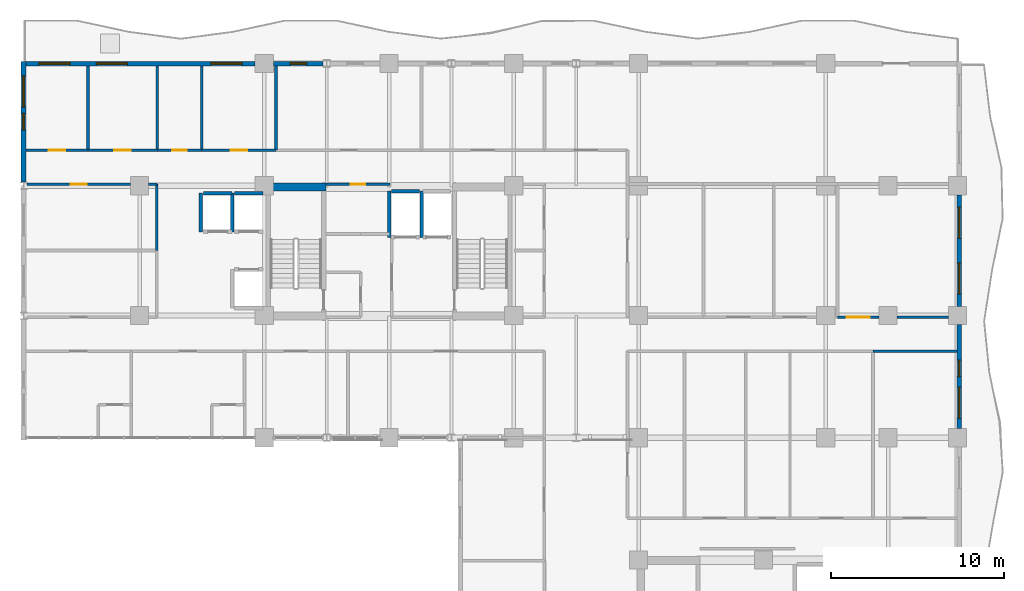
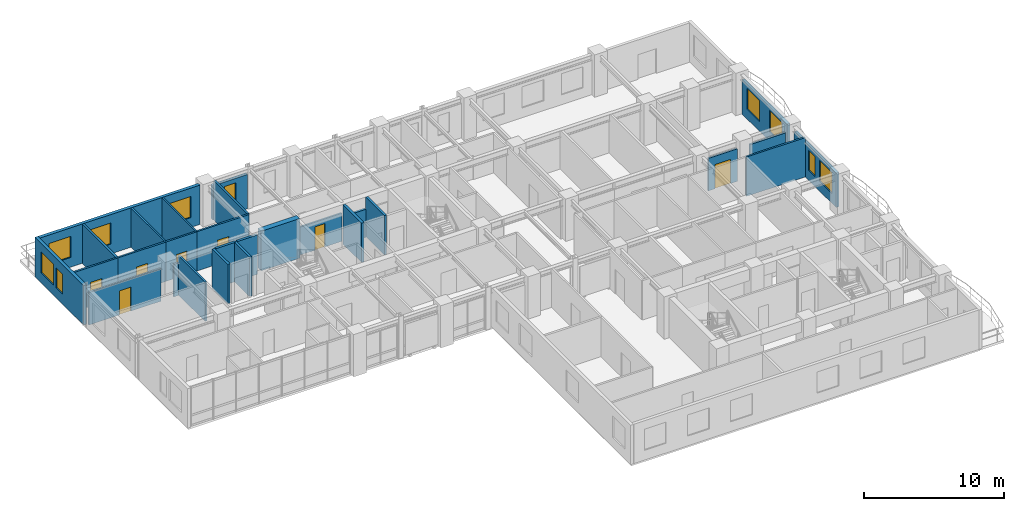
# One storey, part 12 of 17: 28 walls, 10 windows, 7 doors, 17 openings.
"""IFC4 building model written with IfcOpenShell, lengths in metres."""

from ifc_helpers import new_model, si_unit, direction, frame, frame_2d, origin, place, context, subcontext, project, spatial, rectangle, extrude, material, layer, layer_set, type_object, element, fill, save


model = new_model("IFC4")

# Units and contexts
model_context = context("Model", 3, precision=1e-05, world=origin(), true_north=direction((0.0, 1.0)))
body_context = subcontext(model_context, "Body", "Model", "MODEL_VIEW")
ifc_project = project(units=[si_unit("LENGTHUNIT", "METRE"), si_unit("AREAUNIT", "SQUARE_METRE"), si_unit("VOLUMEUNIT", "CUBIC_METRE"), si_unit("PLANEANGLEUNIT", "RADIAN"), si_unit("MASSUNIT", "GRAM", prefix="KILO")], contexts=[model_context])

# Site, building, storey
site_placement = place(None, origin())
site = spatial("IfcSite", under=ifc_project, at=site_placement, CompositionType="ELEMENT")
building_placement = place(site_placement, origin())
building = spatial("IfcBuilding", under=site, at=building_placement, Name="Kaliganga Portal Commons", CompositionType="ELEMENT")
storey_placement = place(building_placement, frame((0.0, 0.0, 143.89990234375)))
storey = spatial("IfcBuildingStorey", under=building, at=storey_placement, Name="L36", CompositionType="ELEMENT", Elevation=143.89990234375)

# Wall
ifc_material_1 = material(Name="Concrete C60/75", Category="concrete")
ifc_layer_1 = layer(ifc_material_1, 0.449951171875)
ifc_layer_set_1 = layer_set([ifc_layer_1], Name="Concrete C60/75")
wall_type_1 = type_object("IfcWallType", Name="WL-CORE-450", PredefinedType="SHEAR", material=ifc_layer_set_1)
wall_1_placement = place(storey_placement, frame((14.75, 36.074951171875, 0.0), z_axis=(0.0, 0.0, 1.0), x_axis=(1.0, 0.0, 0.0)))
element("IfcWall", 1, at=wall_1_placement, inside=storey, type_object=wall_type_1, Name="Core A N-West Shear Wall L36", PredefinedType="SHEAR", context=body_context, shape_type="SweptSolid", body=[
    extrude(rectangle(XDim=3.199951171875, YDim=0.449951171875, at=frame_2d((1.60009765625, 0.0))), origin(), (0.0, 0.0, 1.0), 3.460205078125),
])

# Wall, openings, windows
ifc_material_2 = material(Name="Insulated Aluminium-Clad Spandrel Assembly", Category="aluminium")
ifc_layer_2 = layer(ifc_material_2, 0.260009765625)
ifc_layer_set_2 = layer_set([ifc_layer_2], Name="Insulated Aluminium-Clad Spandrel Assembly")
wall_type_2 = type_object("IfcWallType", Name="WL-EXT-SPAND-260", PredefinedType="STANDARD", material=ifc_layer_set_2)
wall_2_placement = place(storey_placement, frame((54.5, 28.1240234375, 0.0), z_axis=(0.0, 0.0, 1.0), x_axis=(0.0, -1.0, 0.0)))
wall_2 = element("IfcWall", 2, at=wall_2_placement, inside=storey, type_object=wall_type_2, Name="Exterior Envelope Wall L36 P1-E01-S4", PredefinedType="STANDARD", context=body_context, shape_type="SweptSolid", body=[
    extrude(rectangle(XDim=5.998046875, YDim=0.260009765625, at=frame_2d((2.9990234375, 0.0))), origin(), (0.0, 0.0, 1.0), 2.989990234375),
])
opening_1_placement = place(wall_2_placement, frame((3.598388671875, 0.0, 0.85009765625)))
opening_1 = element("IfcOpeningElement", 3, at=opening_1_placement, cuts=wall_2, Name="Opening W-01", PredefinedType="OPENING", context=body_context, shape_type="SweptSolid", body=[
    extrude(rectangle(XDim=1.800048828125, YDim=1.85009765625, at=frame_2d((0.89990234375, 0.925048828125))), frame((0.0, 0.14013671875, 0.0), z_axis=(0.0, -1.0, 0.0), x_axis=(1.0, 0.0, 0.0)), (0.0, 0.0, 1.0), 0.280029296875),
])
opening_2_placement = place(wall_2_placement, frame((2.044189453125, 0.0, 0.85009765625)))
opening_2 = element("IfcOpeningElement", 4, at=opening_2_placement, cuts=wall_2, Name="Opening W-04", PredefinedType="OPENING", context=body_context, shape_type="SweptSolid", body=[
    extrude(rectangle(XDim=0.949951171875, YDim=1.75, at=frame_2d((0.47509765625, 0.875))), frame((0.0, 0.14013671875, 0.0), z_axis=(0.0, -1.0, 0.0), x_axis=(1.0, 0.0, 0.0)), (0.0, 0.0, 1.0), 0.280029296875),
])
ifc_material_3 = material(Name="Thermally Broken Aluminium and Low-E Double Glazing", Category="aluminium")
window_type_1 = type_object("IfcWindowType", Name="WIN-NARROW-950", PartitioningType="SINGLE_PANEL", PredefinedType="WINDOW", material=ifc_material_3)
window_1_placement = place(opening_2_placement, origin())
window_1 = element("IfcWindow", 5, at=window_1_placement, inside=storey, type_object=window_type_1, Name="Facade Window L36-P1E01S4-N5", OverallHeight=1.75, OverallWidth=0.949951171875, PartitioningType="SINGLE_PANEL", PredefinedType="WINDOW", context=body_context, shape_type="SweptSolid", body=[
    extrude(rectangle(XDim=0.949951171875, YDim=1.75, at=frame_2d((0.47509765625, 0.875))), frame((0.0, 0.030029296875, 0.0), z_axis=(0.0, -1.0, 0.0), x_axis=(1.0, 0.0, 0.0)), (0.0, 0.0, 1.0), 0.06005859375),
])
fill(opening_2, window_1)
window_type_2 = type_object("IfcWindowType", Name="WIN-STD-1800", PartitioningType="DOUBLE_PANEL_VERTICAL", PredefinedType="WINDOW", material=ifc_material_3)
window_2_placement = place(opening_1_placement, origin())
window_2 = element("IfcWindow", 6, at=window_2_placement, inside=storey, type_object=window_type_2, Name="Facade Window L36-P1E01S4-01", OverallHeight=1.85009765625, OverallWidth=1.800048828125, PartitioningType="SINGLE_PANEL", PredefinedType="WINDOW", context=body_context, shape_type="SweptSolid", body=[
    extrude(rectangle(XDim=1.800048828125, YDim=1.85009765625, at=frame_2d((0.89990234375, 0.925048828125))), frame((0.0, 0.030029296875, 0.0), z_axis=(0.0, -1.0, 0.0), x_axis=(1.0, 0.0, 0.0)), (0.0, 0.0, 1.0), 0.06005859375),
])
fill(opening_1, window_2)

wall_3_placement = place(storey_placement, frame((54.5, 35.6240234375, 0.0), z_axis=(0.0, 0.0, 1.0), x_axis=(0.0, -1.0, 0.0)))
wall_3 = element("IfcWall", 7, at=wall_3_placement, inside=storey, type_object=wall_type_2, Name="Exterior Envelope Wall L36 P1-E01-S5", PredefinedType="STANDARD", context=body_context, shape_type="SweptSolid", body=[
    extrude(rectangle(XDim=6.447998046875, YDim=0.260009765625, at=frame_2d((3.22412109375, 0.0))), origin(), (0.0, 0.0, 1.0), 2.989990234375),
])
opening_3_placement = place(wall_3_placement, frame((0.7119140625, 0.0, 0.85009765625)))
opening_3 = element("IfcOpeningElement", 8, at=opening_3_placement, cuts=wall_3, Name="Opening W-01", PredefinedType="OPENING", context=body_context, shape_type="SweptSolid", body=[
    extrude(rectangle(XDim=1.800048828125, YDim=1.85009765625, at=frame_2d((0.89990234375, 0.925048828125))), frame((0.0, 0.14013671875, 0.0), z_axis=(0.0, -1.0, 0.0), x_axis=(1.0, 0.0, 0.0)), (0.0, 0.0, 1.0), 0.280029296875),
])
opening_4_placement = place(wall_3_placement, frame((3.93603515625, 0.0, 0.85009765625)))
opening_4 = element("IfcOpeningElement", 9, at=opening_4_placement, cuts=wall_3, Name="Opening W-01", PredefinedType="OPENING", context=body_context, shape_type="SweptSolid", body=[
    extrude(rectangle(XDim=1.800048828125, YDim=1.85009765625, at=frame_2d((0.89990234375, 0.925048828125))), frame((0.0, 0.14013671875, 0.0), z_axis=(0.0, -1.0, 0.0), x_axis=(1.0, 0.0, 0.0)), (0.0, 0.0, 1.0), 0.280029296875),
])
window_3_placement = place(opening_3_placement, origin())
window_3 = element("IfcWindow", 10, at=window_3_placement, inside=storey, type_object=window_type_2, Name="Facade Window L36-P1E01S5-00", OverallHeight=1.85009765625, OverallWidth=1.800048828125, PartitioningType="SINGLE_PANEL", PredefinedType="WINDOW", context=body_context, shape_type="SweptSolid", body=[
    extrude(rectangle(XDim=1.800048828125, YDim=1.85009765625, at=frame_2d((0.89990234375, 0.925048828125))), frame((0.0, 0.030029296875, 0.0), z_axis=(0.0, -1.0, 0.0), x_axis=(1.0, 0.0, 0.0)), (0.0, 0.0, 1.0), 0.06005859375),
])
fill(opening_3, window_3)
window_4_placement = place(opening_4_placement, origin())
window_4 = element("IfcWindow", 11, at=window_4_placement, inside=storey, type_object=window_type_2, Name="Facade Window L36-P1E01S5-01", OverallHeight=1.85009765625, OverallWidth=1.800048828125, PartitioningType="SINGLE_PANEL", PredefinedType="WINDOW", context=body_context, shape_type="SweptSolid", body=[
    extrude(rectangle(XDim=1.800048828125, YDim=1.85009765625, at=frame_2d((0.89990234375, 0.925048828125))), frame((0.0, 0.030029296875, 0.0), z_axis=(0.0, -1.0, 0.0), x_axis=(1.0, 0.0, 0.0)), (0.0, 0.0, 1.0), 0.06005859375),
])
fill(opening_4, window_4)

# Wall, opening, window
wall_4_placement = place(storey_placement, frame((14.926025390625, 43.199951171875, 0.0), z_axis=(0.0, 0.0, 1.0), x_axis=(1.0, 0.0, 0.0)))
wall_4 = element("IfcWall", 12, at=wall_4_placement, inside=storey, type_object=wall_type_2, Name="Exterior Envelope Wall L36 P1-E02-S8", PredefinedType="STANDARD", context=body_context, shape_type="SweptSolid", body=[
    extrude(rectangle(XDim=2.87109375, YDim=0.260009765625, at=frame_2d((1.435546875, 0.0))), origin(), (0.0, 0.0, 1.0), 2.989990234375),
])
opening_5_placement = place(wall_4_placement, frame((0.96044921875, 0.0, 0.85009765625)))
opening_5 = element("IfcOpeningElement", 13, at=opening_5_placement, cuts=wall_4, Name="Opening W-04", PredefinedType="OPENING", context=body_context, shape_type="SweptSolid", body=[
    extrude(rectangle(XDim=0.949951171875, YDim=1.75, at=frame_2d((0.47509765625, 0.875))), frame((0.0, 0.14013671875, 0.0), z_axis=(0.0, -1.0, 0.0), x_axis=(1.0, 0.0, 0.0)), (0.0, 0.0, 1.0), 0.280029296875),
])
window_5_placement = place(opening_5_placement, origin())
window_5 = element("IfcWindow", 14, at=window_5_placement, inside=storey, type_object=window_type_1, Name="Facade Window L36-P1E02S8-00", OverallHeight=1.75, OverallWidth=0.949951171875, PartitioningType="SINGLE_PANEL", PredefinedType="WINDOW", context=body_context, shape_type="SweptSolid", body=[
    extrude(rectangle(XDim=0.949951171875, YDim=1.75, at=frame_2d((0.47509765625, 0.875))), frame((0.0, 0.030029296875, 0.0), z_axis=(0.0, -1.0, 0.0), x_axis=(1.0, 0.0, 0.0)), (0.0, 0.0, 1.0), 0.06005859375),
])
fill(opening_5, window_5)

# Wall, openings, windows
wall_5_placement = place(storey_placement, frame((0.635009765625, 43.199951171875, 0.0), z_axis=(0.0, 0.0, 1.0), x_axis=(1.0, 0.0, 0.0)))
wall_5 = element("IfcWall", 15, at=wall_5_placement, inside=storey, type_object=wall_type_2, Name="Exterior Envelope Wall L36 P1-E02-S9", PredefinedType="STANDARD", context=body_context, shape_type="SweptSolid", body=[
    extrude(rectangle(XDim=13.239013671875, YDim=0.260009765625, at=frame_2d((6.61962890625, 0.0))), origin(), (0.0, 0.0, 1.0), 3.440185546875),
])
opening_6_placement = place(wall_5_placement, frame((0.7548828125, 0.0, 0.85009765625)))
opening_6 = element("IfcOpeningElement", 16, at=opening_6_placement, cuts=wall_5, Name="Opening W-01", PredefinedType="OPENING", context=body_context, shape_type="SweptSolid", body=[
    extrude(rectangle(XDim=1.800048828125, YDim=1.85009765625, at=frame_2d((0.89990234375, 0.925048828125))), frame((0.0, 0.14013671875, 0.0), z_axis=(0.0, -1.0, 0.0), x_axis=(1.0, 0.0, 0.0)), (0.0, 0.0, 1.0), 0.280029296875),
])
opening_7_placement = place(wall_5_placement, frame((4.064697265625, 0.0, 0.85009765625)))
opening_7 = element("IfcOpeningElement", 17, at=opening_7_placement, cuts=wall_5, Name="Opening W-01", PredefinedType="OPENING", context=body_context, shape_type="SweptSolid", body=[
    extrude(rectangle(XDim=1.800048828125, YDim=1.85009765625, at=frame_2d((0.89990234375, 0.925048828125))), frame((0.0, 0.14013671875, 0.0), z_axis=(0.0, -1.0, 0.0), x_axis=(1.0, 0.0, 0.0)), (0.0, 0.0, 1.0), 0.280029296875),
])
opening_8_placement = place(wall_5_placement, frame((10.68408203125, 0.0, 0.85009765625)))
opening_8 = element("IfcOpeningElement", 18, at=opening_8_placement, cuts=wall_5, Name="Opening W-01", PredefinedType="OPENING", context=body_context, shape_type="SweptSolid", body=[
    extrude(rectangle(XDim=1.800048828125, YDim=1.85009765625, at=frame_2d((0.89990234375, 0.925048828125))), frame((0.0, 0.14013671875, 0.0), z_axis=(0.0, -1.0, 0.0), x_axis=(1.0, 0.0, 0.0)), (0.0, 0.0, 1.0), 0.280029296875),
])
window_6_placement = place(opening_6_placement, origin())
window_6 = element("IfcWindow", 19, at=window_6_placement, inside=storey, type_object=window_type_2, Name="Facade Window L36-P1E02S9-00", OverallHeight=1.85009765625, OverallWidth=1.800048828125, PartitioningType="SINGLE_PANEL", PredefinedType="WINDOW", context=body_context, shape_type="SweptSolid", body=[
    extrude(rectangle(XDim=1.800048828125, YDim=1.85009765625, at=frame_2d((0.89990234375, 0.925048828125))), frame((0.0, 0.030029296875, 0.0), z_axis=(0.0, -1.0, 0.0), x_axis=(1.0, 0.0, 0.0)), (0.0, 0.0, 1.0), 0.06005859375),
])
fill(opening_6, window_6)
window_7_placement = place(opening_7_placement, origin())
window_7 = element("IfcWindow", 20, at=window_7_placement, inside=storey, type_object=window_type_2, Name="Facade Window L36-P1E02S9-01", OverallHeight=1.85009765625, OverallWidth=1.800048828125, PartitioningType="SINGLE_PANEL", PredefinedType="WINDOW", context=body_context, shape_type="SweptSolid", body=[
    extrude(rectangle(XDim=1.800048828125, YDim=1.85009765625, at=frame_2d((0.89990234375, 0.925048828125))), frame((0.0, 0.030029296875, 0.0), z_axis=(0.0, -1.0, 0.0), x_axis=(1.0, 0.0, 0.0)), (0.0, 0.0, 1.0), 0.06005859375),
])
fill(opening_7, window_7)
window_8_placement = place(opening_8_placement, origin())
window_8 = element("IfcWindow", 21, at=window_8_placement, inside=storey, type_object=window_type_2, Name="Facade Window L36-P1E02S9-03", OverallHeight=1.85009765625, OverallWidth=1.800048828125, PartitioningType="SINGLE_PANEL", PredefinedType="WINDOW", context=body_context, shape_type="SweptSolid", body=[
    extrude(rectangle(XDim=1.800048828125, YDim=1.85009765625, at=frame_2d((0.89990234375, 0.925048828125))), frame((0.0, 0.030029296875, 0.0), z_axis=(0.0, -1.0, 0.0), x_axis=(1.0, 0.0, 0.0)), (0.0, 0.0, 1.0), 0.06005859375),
])
fill(opening_8, window_8)

wall_6_placement = place(storey_placement, frame((0.5, 36.35791015625, 0.0), z_axis=(0.0, 0.0, 1.0), x_axis=(0.0, 1.0, 0.0)))
wall_6 = element("IfcWall", 22, at=wall_6_placement, inside=storey, type_object=wall_type_2, Name="Exterior Envelope Wall L36 P1-E03-S1", PredefinedType="STANDARD", context=body_context, shape_type="SweptSolid", body=[
    extrude(rectangle(XDim=6.97216796875, YDim=0.260009765625, at=frame_2d((3.486083984375, 0.0))), origin(), (0.0, 0.0, 1.0), 3.440185546875),
])
opening_9_placement = place(wall_6_placement, frame((4.3291015625, 0.0, 0.85009765625)))
opening_9 = element("IfcOpeningElement", 23, at=opening_9_placement, cuts=wall_6, Name="Opening W-01", PredefinedType="OPENING", context=body_context, shape_type="SweptSolid", body=[
    extrude(rectangle(XDim=1.800048828125, YDim=1.85009765625, at=frame_2d((0.89990234375, 0.925048828125))), frame((0.0, 0.14013671875, 0.0), z_axis=(0.0, -1.0, 0.0), x_axis=(1.0, 0.0, 0.0)), (0.0, 0.0, 1.0), 0.280029296875),
])
opening_10_placement = place(wall_6_placement, frame((3.010986328125, 0.0, 0.85009765625)))
opening_10 = element("IfcOpeningElement", 24, at=opening_10_placement, cuts=wall_6, Name="Opening W-04", PredefinedType="OPENING", context=body_context, shape_type="SweptSolid", body=[
    extrude(rectangle(XDim=0.949951171875, YDim=1.75, at=frame_2d((0.47509765625, 0.875))), frame((0.0, 0.14013671875, 0.0), z_axis=(0.0, -1.0, 0.0), x_axis=(1.0, 0.0, 0.0)), (0.0, 0.0, 1.0), 0.280029296875),
])
window_9_placement = place(opening_10_placement, origin())
window_9 = element("IfcWindow", 25, at=window_9_placement, inside=storey, type_object=window_type_1, Name="Facade Window L36-P1E03S1-N0", OverallHeight=1.75, OverallWidth=0.949951171875, PartitioningType="SINGLE_PANEL", PredefinedType="WINDOW", context=body_context, shape_type="SweptSolid", body=[
    extrude(rectangle(XDim=0.949951171875, YDim=1.75, at=frame_2d((0.47509765625, 0.875))), frame((0.0, 0.030029296875, 0.0), z_axis=(0.0, -1.0, 0.0), x_axis=(1.0, 0.0, 0.0)), (0.0, 0.0, 1.0), 0.06005859375),
])
fill(opening_10, window_9)
window_10_placement = place(opening_9_placement, origin())
window_10 = element("IfcWindow", 26, at=window_10_placement, inside=storey, type_object=window_type_2, Name="Facade Window L36-P1E03S1-01", OverallHeight=1.85009765625, OverallWidth=1.800048828125, PartitioningType="SINGLE_PANEL", PredefinedType="WINDOW", context=body_context, shape_type="SweptSolid", body=[
    extrude(rectangle(XDim=1.800048828125, YDim=1.85009765625, at=frame_2d((0.89990234375, 0.925048828125))), frame((0.0, 0.030029296875, 0.0), z_axis=(0.0, -1.0, 0.0), x_axis=(1.0, 0.0, 0.0)), (0.0, 0.0, 1.0), 0.06005859375),
])
fill(opening_9, window_10)

# Wall, opening, door
ifc_material_4 = material(Name="Fire-Rated Gypsum Board on Steel Stud", Category="steel")
ifc_layer_3 = layer(ifc_material_4, 0.14990234375)
ifc_layer_set_3 = layer_set([ifc_layer_3], Name="Fire-Rated Gypsum Board on Steel Stud")
wall_type_3 = type_object("IfcWallType", Name="WL-PART-CORR-150", PredefinedType="PARTITIONING", material=ifc_layer_set_3)
wall_7_placement = place(storey_placement, frame((0.701904296875, 36.239990234375, 0.0), z_axis=(0.0, 0.0, 1.0), x_axis=(1.0, 0.0, 0.0)))
wall_7 = element("IfcWall", 27, at=wall_7_placement, inside=storey, type_object=wall_type_3, Name="Interior Partition L36-014", PredefinedType="PARTITIONING", context=body_context, shape_type="SweptSolid", body=[
    extrude(rectangle(XDim=5.97314453125, YDim=0.14990234375, at=frame_2d((2.986572265625, 0.0))), origin(), (0.0, 0.0, 1.0), 2.840087890625),
])
opening_11_placement = place(wall_7_placement, frame((2.511474609375, 0.0, 0.0)))
opening_11 = element("IfcOpeningElement", 28, at=opening_11_placement, cuts=wall_7, Name="Opening UD-01", PredefinedType="OPENING", context=body_context, shape_type="SweptSolid", body=[
    extrude(rectangle(XDim=0.949951171875, YDim=2.10009765625, at=frame_2d((0.47509765625, 1.050048828125))), frame((0.0, 0.0849609375, 0.0), z_axis=(0.0, -1.0, 0.0), x_axis=(1.0, 0.0, 0.0)), (0.0, 0.0, 1.0), 0.169921875),
])
ifc_material_5 = material(Name="Solid-Core Timber Acoustic Fire Door", Category="wood")
door_type_1 = type_object("IfcDoorType", Name="DR-UNIT-950", OperationType="NOTDEFINED", PredefinedType="DOOR", material=ifc_material_5)
door_1_placement = place(opening_11_placement, origin())
door_1 = element("IfcDoor", 29, at=door_1_placement, inside=storey, type_object=door_type_1, Name="Interior Door L36-AW02", OperationType="SINGLE_SWING_LEFT", OverallHeight=2.10009765625, OverallWidth=0.949951171875, PredefinedType="DOOR", context=body_context, shape_type="SweptSolid", body=[
    extrude(rectangle(XDim=0.949951171875, YDim=2.10009765625, at=frame_2d((0.47509765625, 1.050048828125))), frame((0.0, 0.02490234375, 0.0), z_axis=(0.0, -1.0, 0.0), x_axis=(1.0, 0.0, 0.0)), (0.0, 0.0, 1.0), 0.050048828125),
])
fill(opening_11, door_1)

# Wall
wall_8_placement = place(storey_placement, frame((7.72509765625, 36.239990234375, 0.0), z_axis=(0.0, 0.0, 1.0), x_axis=(1.0, 0.0, 0.0)))
element("IfcWall", 30, at=wall_8_placement, inside=storey, type_object=wall_type_3, Name="Interior Partition L36-015", PredefinedType="PARTITIONING", context=body_context, shape_type="SweptSolid", body=[
    extrude(rectangle(XDim=0.474853515625, YDim=0.14990234375, at=frame_2d((0.2373046875, 0.0))), origin(), (0.0, 0.0, 1.0), 2.840087890625),
])

# Wall, opening, door
wall_9_placement = place(storey_placement, frame((47.47998046875, 28.56005859375, 0.0), z_axis=(0.0, 0.0, 1.0), x_axis=(1.0, 0.0, 0.0)))
wall_9 = element("IfcWall", 31, at=wall_9_placement, inside=storey, type_object=wall_type_3, Name="Interior Partition L36-020", PredefinedType="PARTITIONING", context=body_context, shape_type="SweptSolid", body=[
    extrude(rectangle(XDim=2.39501953125, YDim=0.14990234375, at=frame_2d((1.197509765625, 0.0))), origin(), (0.0, 0.0, 1.0), 2.840087890625),
])
opening_12_placement = place(wall_9_placement, frame((0.547607421875, 0.0, 0.0)))
opening_12 = element("IfcOpeningElement", 32, at=opening_12_placement, cuts=wall_9, Name="Opening RD-03", PredefinedType="OPENING", context=body_context, shape_type="SweptSolid", body=[
    extrude(rectangle(XDim=1.300048828125, YDim=2.1201171875, at=frame_2d((0.64990234375, 1.06005859375))), frame((0.0, 0.0849609375, 0.0), z_axis=(0.0, -1.0, 0.0), x_axis=(1.0, 0.0, 0.0)), (0.0, 0.0, 1.0), 0.169921875),
])
ifc_material_6 = material(Name="Glazed Timber Seminar Vision Door", Category="wood")
door_type_2 = type_object("IfcDoorType", Name="DR-STUDY-1300", OperationType="DOUBLE_DOOR_SINGLE_SWING", PredefinedType="DOOR", material=ifc_material_6)
door_2_placement = place(opening_12_placement, origin())
door_2 = element("IfcDoor", 33, at=door_2_placement, inside=storey, type_object=door_type_2, Name="Interior Door L36-BK04", OperationType="DOUBLE_DOOR_SINGLE_SWING", OverallHeight=2.1201171875, OverallWidth=1.300048828125, PredefinedType="DOOR", context=body_context, shape_type="SweptSolid", body=[
    extrude(rectangle(XDim=1.300048828125, YDim=2.1201171875, at=frame_2d((0.64990234375, 1.06005859375))), frame((0.0, 0.02490234375, 0.0), z_axis=(0.0, -1.0, 0.0), x_axis=(1.0, 0.0, 0.0)), (0.0, 0.0, 1.0), 0.050048828125),
])
fill(opening_12, door_2)

# Walls
wall_10_placement = place(storey_placement, frame((50.925048828125, 28.56005859375, 0.0), z_axis=(0.0, 0.0, 1.0), x_axis=(1.0, 0.0, 0.0)))
element("IfcWall", 34, at=wall_10_placement, inside=storey, type_object=wall_type_3, Name="Interior Partition L36-021", PredefinedType="PARTITIONING", context=body_context, shape_type="SweptSolid", body=[
    extrude(rectangle(XDim=2.949951171875, YDim=0.14990234375, at=frame_2d((1.47509765625, 0.0))), origin(), (0.0, 0.0, 1.0), 2.840087890625),
])
wall_11_placement = place(storey_placement, frame((49.52001953125, 26.60009765625, 0.0), z_axis=(0.0, 0.0, 1.0), x_axis=(1.0, 0.0, 0.0)))
element("IfcWall", 35, at=wall_11_placement, inside=storey, type_object=wall_type_3, Name="Interior Partition L36-029", PredefinedType="PARTITIONING", context=body_context, shape_type="SweptSolid", body=[
    extrude(rectangle(XDim=4.847900390625, YDim=0.14990234375, at=frame_2d((2.423828125, 0.0))), origin(), (0.0, 0.0, 1.0), 3.440185546875),
])

# Wall, opening, door
wall_12_placement = place(storey_placement, frame((10.780029296875, 38.199951171875, 0.0), z_axis=(0.0, 0.0, 1.0), x_axis=(1.0, 0.0, 0.0)))
wall_12 = element("IfcWall", 36, at=wall_12_placement, inside=storey, type_object=wall_type_3, Name="Interior Partition L36-035", PredefinedType="PARTITIONING", context=body_context, shape_type="SweptSolid", body=[
    extrude(rectangle(XDim=4.300048828125, YDim=0.14990234375, at=frame_2d((2.14990234375, 0.0))), origin(), (0.0, 0.0, 1.0), 3.440185546875),
])
opening_13_placement = place(wall_12_placement, frame((1.675048828125, 0.0, 0.0)))
opening_13 = element("IfcOpeningElement", 37, at=opening_13_placement, cuts=wall_12, Name="Opening UD-01", PredefinedType="OPENING", context=body_context, shape_type="SweptSolid", body=[
    extrude(rectangle(XDim=0.949951171875, YDim=2.10009765625, at=frame_2d((0.47509765625, 1.050048828125))), frame((0.0, 0.0849609375, 0.0), z_axis=(0.0, -1.0, 0.0), x_axis=(1.0, 0.0, 0.0)), (0.0, 0.0, 1.0), 0.169921875),
])
door_3_placement = place(opening_13_placement, origin())
door_3 = element("IfcDoor", 38, at=door_3_placement, inside=storey, type_object=door_type_1, Name="Interior Door L36-AN04", OperationType="SINGLE_SWING_RIGHT", OverallHeight=2.10009765625, OverallWidth=0.949951171875, PredefinedType="DOOR", context=body_context, shape_type="SweptSolid", body=[
    extrude(rectangle(XDim=0.949951171875, YDim=2.10009765625, at=frame_2d((0.47509765625, 1.050048828125))), frame((0.0, 0.02490234375, 0.0), z_axis=(0.0, -1.0, 0.0), x_axis=(1.0, 0.0, 0.0)), (0.0, 0.0, 1.0), 0.050048828125),
])
fill(opening_13, door_3)

wall_13_placement = place(storey_placement, frame((4.219970703125, 38.199951171875, 0.0), z_axis=(0.0, 0.0, 1.0), x_axis=(1.0, 0.0, 0.0)))
wall_13 = element("IfcWall", 39, at=wall_13_placement, inside=storey, type_object=wall_type_3, Name="Interior Partition L36-037", PredefinedType="PARTITIONING", context=body_context, shape_type="SweptSolid", body=[
    extrude(rectangle(XDim=4.0, YDim=0.14990234375, at=frame_2d((2.0, 0.0))), origin(), (0.0, 0.0, 1.0), 3.440185546875),
])
opening_14_placement = place(wall_13_placement, frame((1.52490234375, 0.0, 0.0)))
opening_14 = element("IfcOpeningElement", 40, at=opening_14_placement, cuts=wall_13, Name="Opening UD-01", PredefinedType="OPENING", context=body_context, shape_type="SweptSolid", body=[
    extrude(rectangle(XDim=0.949951171875, YDim=2.10009765625, at=frame_2d((0.47509765625, 1.050048828125))), frame((0.0, 0.0849609375, 0.0), z_axis=(0.0, -1.0, 0.0), x_axis=(1.0, 0.0, 0.0)), (0.0, 0.0, 1.0), 0.169921875),
])
door_4_placement = place(opening_14_placement, origin())
door_4 = element("IfcDoor", 41, at=door_4_placement, inside=storey, type_object=door_type_1, Name="Interior Door L36-AN02", OperationType="SINGLE_SWING_RIGHT", OverallHeight=2.10009765625, OverallWidth=0.949951171875, PredefinedType="DOOR", context=body_context, shape_type="SweptSolid", body=[
    extrude(rectangle(XDim=0.949951171875, YDim=2.10009765625, at=frame_2d((0.47509765625, 1.050048828125))), frame((0.0, 0.02490234375, 0.0), z_axis=(0.0, -1.0, 0.0), x_axis=(1.0, 0.0, 0.0)), (0.0, 0.0, 1.0), 0.050048828125),
])
fill(opening_14, door_4)

# Wall
wall_14_placement = place(storey_placement, frame((8.199951171875, 32.39990234375, 0.0), z_axis=(0.0, 0.0, 1.0), x_axis=(0.0, 1.0, 0.0)))
element("IfcWall", 42, at=wall_14_placement, inside=storey, type_object=wall_type_3, Name="Interior Partition L36-038", PredefinedType="PARTITIONING", context=body_context, shape_type="SweptSolid", body=[
    extrude(rectangle(XDim=3.840087890625, YDim=0.14990234375, at=frame_2d((1.919921875, 0.0))), origin(), (0.0, 0.0, 1.0), 3.440185546875),
])

# Wall, opening, door
wall_15_placement = place(storey_placement, frame((0.632080078125, 38.199951171875, 0.0), z_axis=(0.0, 0.0, 1.0), x_axis=(1.0, 0.0, 0.0)))
wall_15 = element("IfcWall", 43, at=wall_15_placement, inside=storey, type_object=wall_type_3, Name="Interior Partition L36-042", PredefinedType="PARTITIONING", context=body_context, shape_type="SweptSolid", body=[
    extrude(rectangle(XDim=3.587890625, YDim=0.14990234375, at=frame_2d((1.7939453125, 0.0))), origin(), (0.0, 0.0, 1.0), 3.440185546875),
])
opening_15_placement = place(wall_15_placement, frame((1.319091796875, 0.0, 0.0)))
opening_15 = element("IfcOpeningElement", 44, at=opening_15_placement, cuts=wall_15, Name="Opening UD-01", PredefinedType="OPENING", context=body_context, shape_type="SweptSolid", body=[
    extrude(rectangle(XDim=0.949951171875, YDim=2.10009765625, at=frame_2d((0.47509765625, 1.050048828125))), frame((0.0, 0.0849609375, 0.0), z_axis=(0.0, -1.0, 0.0), x_axis=(1.0, 0.0, 0.0)), (0.0, 0.0, 1.0), 0.169921875),
])
door_5_placement = place(opening_15_placement, origin())
door_5 = element("IfcDoor", 45, at=door_5_placement, inside=storey, type_object=door_type_1, Name="Interior Door L36-AN01", OperationType="SINGLE_SWING_LEFT", OverallHeight=2.10009765625, OverallWidth=0.949951171875, PredefinedType="DOOR", context=body_context, shape_type="SweptSolid", body=[
    extrude(rectangle(XDim=0.949951171875, YDim=2.10009765625, at=frame_2d((0.47509765625, 1.050048828125))), frame((0.0, 0.02490234375, 0.0), z_axis=(0.0, -1.0, 0.0), x_axis=(1.0, 0.0, 0.0)), (0.0, 0.0, 1.0), 0.050048828125),
])
fill(opening_15, door_5)

wall_16_placement = place(storey_placement, frame((17.9599609375, 36.239990234375, 0.0), z_axis=(0.0, 0.0, 1.0), x_axis=(1.0, 0.0, 0.0)))
wall_16 = element("IfcWall", 46, at=wall_16_placement, inside=storey, type_object=wall_type_3, Name="Interior Partition L36-044", PredefinedType="PARTITIONING", context=body_context, shape_type="SweptSolid", body=[
    extrude(rectangle(XDim=3.679931640625, YDim=0.14990234375, at=frame_2d((1.83984375, 0.0))), origin(), (0.0, 0.0, 1.0), 2.440185546875),
])
opening_16_placement = place(wall_16_placement, frame((1.4150390625, 0.0, 0.0)))
opening_16 = element("IfcOpeningElement", 47, at=opening_16_placement, cuts=wall_16, Name="Opening WD-01", PredefinedType="OPENING", context=body_context, shape_type="SweptSolid", body=[
    extrude(rectangle(XDim=0.85009765625, YDim=2.0400390625, at=frame_2d((0.425048828125, 1.02001953125))), frame((0.0, 0.0849609375, 0.0), z_axis=(0.0, -1.0, 0.0), x_axis=(1.0, 0.0, 0.0)), (0.0, 0.0, 1.0), 0.169921875),
])
ifc_material_7 = material(Name="Moisture-Resistant Laminate Timber Door", Category="wood")
door_type_3 = type_object("IfcDoorType", Name="DR-WET-850", OperationType="NOTDEFINED", PredefinedType="DOOR", material=ifc_material_7)
door_6_placement = place(opening_16_placement, origin())
door_6 = element("IfcDoor", 48, at=door_6_placement, inside=storey, type_object=door_type_3, Name="Interior Door L36-CREC_A1", OperationType="SINGLE_SWING_LEFT", OverallHeight=2.0400390625, OverallWidth=0.85009765625, PredefinedType="DOOR", context=body_context, shape_type="SweptSolid", body=[
    extrude(rectangle(XDim=0.85009765625, YDim=2.0400390625, at=frame_2d((0.425048828125, 1.02001953125))), frame((0.0, 0.02490234375, 0.0), z_axis=(0.0, -1.0, 0.0), x_axis=(1.0, 0.0, 0.0)), (0.0, 0.0, 1.0), 0.050048828125),
])
fill(opening_16, door_6)

wall_17_placement = place(storey_placement, frame((8.219970703125, 38.199951171875, 0.0), z_axis=(0.0, 0.0, 1.0), x_axis=(1.0, 0.0, 0.0)))
wall_17 = element("IfcWall", 49, at=wall_17_placement, inside=storey, type_object=wall_type_3, Name="Interior Partition L36-052", PredefinedType="PARTITIONING", context=body_context, shape_type="SweptSolid", body=[
    extrude(rectangle(XDim=2.56005859375, YDim=0.14990234375, at=frame_2d((1.280029296875, 0.0))), origin(), (0.0, 0.0, 1.0), 3.440185546875),
])
opening_17_placement = place(wall_17_placement, frame((0.85498046875, 0.0, 0.0)))
opening_17 = element("IfcOpeningElement", 50, at=opening_17_placement, cuts=wall_17, Name="Opening WD-01", PredefinedType="OPENING", context=body_context, shape_type="SweptSolid", body=[
    extrude(rectangle(XDim=0.85009765625, YDim=2.0400390625, at=frame_2d((0.425048828125, 1.02001953125))), frame((0.0, 0.0849609375, 0.0), z_axis=(0.0, -1.0, 0.0), x_axis=(1.0, 0.0, 0.0)), (0.0, 0.0, 1.0), 0.169921875),
])
door_7_placement = place(opening_17_placement, origin())
door_7 = element("IfcDoor", 51, at=door_7_placement, inside=storey, type_object=door_type_3, Name="Interior Door L36-AN03", OperationType="SINGLE_SWING_LEFT", OverallHeight=2.0400390625, OverallWidth=0.85009765625, PredefinedType="DOOR", context=body_context, shape_type="SweptSolid", body=[
    extrude(rectangle(XDim=0.85009765625, YDim=2.0400390625, at=frame_2d((0.425048828125, 1.02001953125))), frame((0.0, 0.02490234375, 0.0), z_axis=(0.0, -1.0, 0.0), x_axis=(1.0, 0.0, 0.0)), (0.0, 0.0, 1.0), 0.050048828125),
])
fill(opening_17, door_7)

# Walls
ifc_material_8 = material(Name="Twin-Stud Acoustic Gypsum Partition", Category="gypsum")
ifc_layer_4 = layer(ifc_material_8, 0.1650390625)
ifc_layer_set_4 = layer_set([ifc_layer_4], Name="Twin-Stud Acoustic Gypsum Partition")
wall_type_4 = type_object("IfcWallType", Name="WL-PART-UNIT-165", PredefinedType="PARTITIONING", material=ifc_layer_set_4)
for number, where, z_axis, x_axis, name in (
    (52, (4.219970703125, 38.199951171875, 0.0), (0.0, 0.0, 1.0), (0.0, 1.0, 0.0), "Interior Partition L36-070"),
    (53, (15.080078125, 38.199951171875, 0.0), (0.0, 0.0, 1.0), (0.0, 1.0, 0.0), "Interior Partition L36-073"),
):
    element("IfcWall", number, at=place(storey_placement, frame(where, z_axis=z_axis, x_axis=x_axis)), inside=storey, type_object=wall_type_4, Name=name, PredefinedType="PARTITIONING", context=body_context, shape_type="SweptSolid", body=[
        extrude(rectangle(XDim=4.8681640625, YDim=0.1650390625, at=frame_2d((2.43408203125, 0.0))), origin(), (0.0, 0.0, 1.0), 3.440185546875),
    ])
ifc_material_9 = material(Name="Cement-Board Wet-Room Partition", Category="gypsum")
ifc_layer_5 = layer(ifc_material_9, 0.135009765625)
ifc_layer_set_5 = layer_set([ifc_layer_5], Name="Cement-Board Wet-Room Partition")
wall_type_5 = type_object("IfcWallType", Name="WL-PART-WET-135", PredefinedType="PARTITIONING", material=ifc_layer_set_5)
for number, where, z_axis, x_axis, name in (
    (54, (8.219970703125, 38.199951171875, 0.0), (0.0, 0.0, 1.0), (0.0, 1.0, 0.0), "Interior Partition L36-071"),
    (55, (10.780029296875, 38.199951171875, 0.0), (0.0, 0.0, 1.0), (0.0, 1.0, 0.0), "Interior Partition L36-072"),
):
    element("IfcWall", number, at=place(storey_placement, frame(where, z_axis=z_axis, x_axis=x_axis)), inside=storey, type_object=wall_type_5, Name=name, PredefinedType="PARTITIONING", context=body_context, shape_type="SweptSolid", body=[
        extrude(rectangle(XDim=4.8681640625, YDim=0.135009765625, at=frame_2d((2.43408203125, 0.0))), origin(), (0.0, 0.0, 1.0), 3.440185546875),
    ])
ifc_material_10 = material(Name="Fire-Rated Shaftwall Masonry Assembly", Category="masonry")
ifc_layer_6 = layer(ifc_material_10, 0.199951171875)
ifc_layer_set_6 = layer_set([ifc_layer_6], Name="Fire-Rated Shaftwall Masonry Assembly")
wall_type_6 = type_object("IfcWallType", Name="WL-SHAFT-200", PredefinedType="PARTITIONING", material=ifc_layer_set_6)
wall_18_placement = place(storey_placement, frame((12.675048828125, 35.715087890625, 0.0), z_axis=(0.0, 0.0, 1.0), x_axis=(1.0, 0.0, 0.0)))
element("IfcWall", 56, at=wall_18_placement, inside=storey, type_object=wall_type_6, Name="Lift PL-A3 Hoistway Shaft Wall L36-N", PredefinedType="PARTITIONING", context=body_context, shape_type="SweptSolid", body=[
    extrude(rectangle(XDim=1.64990234375, YDim=0.199951171875, at=frame_2d((0.824951171875, 0.0))), origin(), (0.0, 0.0, 1.0), 3.440185546875),
])
wall_19_placement = place(storey_placement, frame((12.534912109375, 33.485107421875, 0.0), z_axis=(0.0, 0.0, 1.0), x_axis=(0.0, 1.0, 0.0)))
element("IfcWall", 57, at=wall_19_placement, inside=storey, type_object=wall_type_6, Name="Lift PL-A3 Hoistway Shaft Wall L36-W", PredefinedType="PARTITIONING", context=body_context, shape_type="SweptSolid", body=[
    extrude(rectangle(XDim=2.22998046875, YDim=0.199951171875, at=frame_2d((1.114990234375, 0.0))), origin(), (0.0, 0.0, 1.0), 3.440185546875),
])
wall_20_placement = place(storey_placement, frame((10.875, 35.715087890625, 0.0), z_axis=(0.0, 0.0, 1.0), x_axis=(1.0, 0.0, 0.0)))
element("IfcWall", 58, at=wall_20_placement, inside=storey, type_object=wall_type_6, Name="Lift PL-OBS Hoistway Shaft Wall L36-N", PredefinedType="PARTITIONING", context=body_context, shape_type="SweptSolid", body=[
    extrude(rectangle(XDim=1.64990234375, YDim=0.199951171875, at=frame_2d((0.824951171875, 0.0))), origin(), (0.0, 0.0, 1.0), 3.440185546875),
])
wall_21_placement = place(storey_placement, frame((10.735107421875, 33.485107421875, 0.0), z_axis=(0.0, 0.0, 1.0), x_axis=(0.0, 1.0, 0.0)))
element("IfcWall", 59, at=wall_21_placement, inside=storey, type_object=wall_type_6, Name="Lift PL-OBS Hoistway Shaft Wall L36-W", PredefinedType="PARTITIONING", context=body_context, shape_type="SweptSolid", body=[
    extrude(rectangle(XDim=2.22998046875, YDim=0.199951171875, at=frame_2d((1.114990234375, 0.0))), origin(), (0.0, 0.0, 1.0), 3.440185546875),
])
wall_22_placement = place(storey_placement, frame((21.75, 35.840087890625, 0.0), z_axis=(0.0, 0.0, 1.0), x_axis=(1.0, 0.0, 0.0)))
element("IfcWall", 60, at=wall_22_placement, inside=storey, type_object=wall_type_6, Name="Lift FFL-1 Hoistway Shaft Wall L36-N", PredefinedType="PARTITIONING", context=body_context, shape_type="SweptSolid", body=[
    extrude(rectangle(XDim=1.60009765625, YDim=0.199951171875, at=frame_2d((0.800048828125, 0.0))), origin(), (0.0, 0.0, 1.0), 2.440185546875),
])
for number, where, z_axis, x_axis, name in (
    (61, (21.610107421875, 33.159912109375, 0.0), (0.0, 0.0, 1.0), (0.0, 1.0, 0.0), "Lift FFL-1 Hoistway Shaft Wall L36-W"),
    (62, (23.489990234375, 33.159912109375, 0.0), (0.0, 0.0, 1.0), (0.0, 1.0, 0.0), "Lift FFL-1 Hoistway Shaft Wall L36-E"),
):
    element("IfcWall", number, at=place(storey_placement, frame(where, z_axis=z_axis, x_axis=x_axis)), inside=storey, type_object=wall_type_6, Name=name, PredefinedType="PARTITIONING", context=body_context, shape_type="SweptSolid", body=[
        extrude(rectangle(XDim=2.68017578125, YDim=0.199951171875, at=frame_2d((1.340087890625, 0.0))), origin(), (0.0, 0.0, 1.0), 3.440185546875),
    ])

save(model, "model.ifc")
